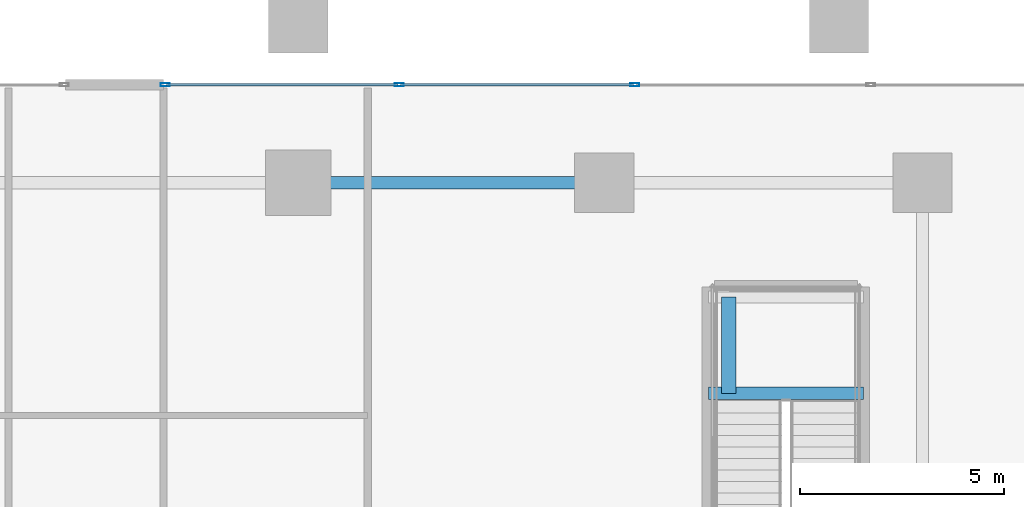
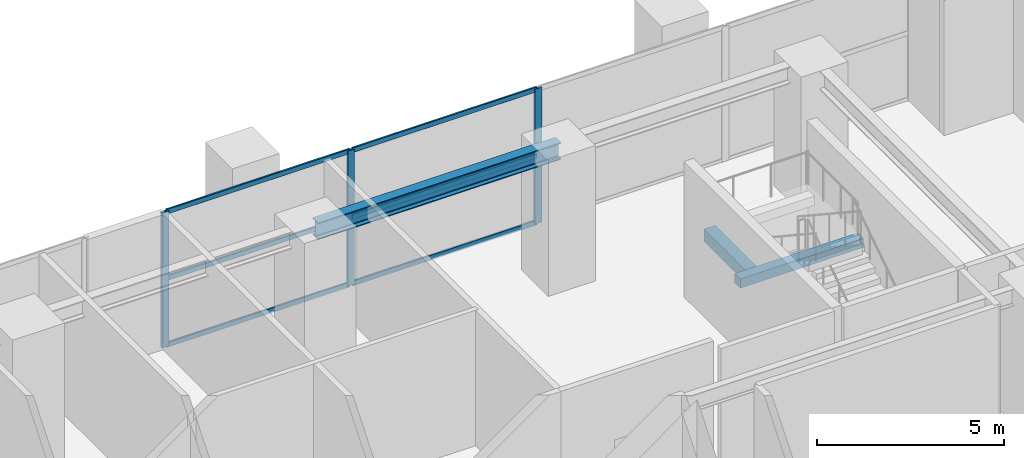
# One storey, part 10 of 20: 9 members, 3 beams, 1 element without a shape of its own.
"""IFC4 building model written with IfcOpenShell, lengths in metres."""

from ifc_helpers import new_model, si_unit, direction, frame, origin, origin_2d, place, context, subcontext, project, spatial, rectangle, hollow_rectangle, i_section, extrude, source, transform, mapped, material, layer, layer_set, material_profile, profile_set, type_object, element, aggregate, save


model = new_model("IFC4")

# Units and contexts
model_context = context("Model", 3, precision=1e-05, world=origin(), true_north=direction((0.0, 1.0)))
body_context = subcontext(model_context, "Body", "Model", "MODEL_VIEW")
ifc_project = project(units=[si_unit("LENGTHUNIT", "METRE"), si_unit("AREAUNIT", "SQUARE_METRE"), si_unit("VOLUMEUNIT", "CUBIC_METRE"), si_unit("PLANEANGLEUNIT", "RADIAN"), si_unit("MASSUNIT", "GRAM", prefix="KILO")], contexts=[model_context])

# Site, building, storey
site_placement = place(None, origin())
site = spatial("IfcSite", under=ifc_project, at=site_placement, CompositionType="ELEMENT")
building_placement = place(site_placement, origin())
building = spatial("IfcBuilding", under=site, at=building_placement, Name="Serunith Strait Residences", CompositionType="ELEMENT")
storey_placement = place(building_placement, frame((0.0, 0.0, 10.5)))
storey = spatial("IfcBuildingStorey", under=building, at=storey_placement, Name="L02", CompositionType="ELEMENT", Elevation=10.5)

# Beams
ifc_material_1 = material(Name="Steel S355J2", Category="steel")
ifc_material_profile_1 = material_profile(ifc_material_1, i_section(OverallWidth=0.300048828125, OverallDepth=0.550048828125, WebThickness=0.014892578125, FlangeThickness=0.029052734375, FilletRadius=0.027099609375, at=origin_2d()), Name="HEB 550")
ifc_profile_set_1 = profile_set([ifc_material_profile_1], Name="Steel S355J2")
beam_type_1 = type_object("IfcBeamType", Name="BM-HEB550", PredefinedType="BEAM", material=ifc_profile_set_1)
shared_shape_1 = source(origin(), body_context, "Body", "SweptSolid", [
    extrude(i_section(OverallWidth=0.300048828125, OverallDepth=0.550048828125, WebThickness=0.014892578125, FlangeThickness=0.029052734375, FilletRadius=0.027099609375, at=origin_2d()), origin(), (0.0, 0.0, 1.0), 7.5),
])
beam_1_placement = place(storey_placement, frame((36.89990234375, 45.60009765625, 4.14208984375), z_axis=(1.0, 0.0, 0.0), x_axis=(0.0, 1.0, 0.0)))
element("IfcBeam", 1, at=beam_1_placement, inside=storey, type_object=beam_type_1, Name="BM-L02-09", PredefinedType="BEAM", context=body_context, shape_type="MappedRepresentation", body=[
    mapped(shared_shape_1, transform((0.0, 0.0, 0.0), scale=1.0)),
])
ifc_material_2 = material(Name="Concrete C60/75", Category="concrete")
ifc_material_profile_2 = material_profile(ifc_material_2, rectangle(XDim=0.300048828125, YDim=0.300048828125, at=origin_2d()), Name="RC 300x300")
ifc_profile_set_2 = profile_set([ifc_material_profile_2], Name="Concrete C60/75")
beam_type_2 = type_object("IfcBeamType", Name="BM-LAND-300x300", PredefinedType="BEAM", material=ifc_profile_set_2)
shared_shape_2 = source(origin(), body_context, "Body", "SweptSolid", [
    extrude(rectangle(XDim=0.300048828125, YDim=0.300048828125, at=origin_2d()), origin(), (0.0, 0.0, 1.0), 3.800048828125),
])
beam_2_placement = place(storey_placement, frame((46.949951171875, 40.43994140625, 2.050048828125), z_axis=(1.0, 0.0, 0.0), x_axis=(0.0, 1.0, 0.0)))
element("IfcBeam", 2, at=beam_2_placement, inside=storey, type_object=beam_type_2, Name="L02 ST-4 Landing Support Beam 1", PredefinedType="BEAM", context=body_context, shape_type="MappedRepresentation", body=[
    mapped(shared_shape_2, transform((0.0, 0.0, 0.0), scale=1.0)),
])
ifc_material_profile_3 = material_profile(ifc_material_2, rectangle(XDim=0.35009765625, YDim=0.39990234375, at=origin_2d()), Name="RC 350x400")
ifc_profile_set_3 = profile_set([ifc_material_profile_3], Name="Concrete C60/75")
beam_type_3 = type_object("IfcBeamType", Name="BM-LAND-350x400", PredefinedType="BEAM", material=ifc_profile_set_3)
shared_shape_3 = source(origin(), body_context, "Body", "SweptSolid", [
    extrude(rectangle(XDim=0.35009765625, YDim=0.39990234375, at=origin_2d()), origin(), (0.0, 0.0, 1.0), 2.360107421875),
])
beam_3_placement = place(storey_placement, frame((47.449951171875, 40.43994140625, 2.0), z_axis=(0.0, 1.0, 0.0), x_axis=(-1.0, 0.0, 0.0)))
element("IfcBeam", 3, at=beam_3_placement, inside=storey, type_object=beam_type_3, Name="L02 ST-4 Landing Transverse Trimmer", PredefinedType="BEAM", context=body_context, shape_type="MappedRepresentation", body=[
    mapped(shared_shape_3, transform((0.0, 0.0, 0.0), scale=1.0)),
])

# Curtain wall, members
ifc_material_3 = material(Name="Pale-Champagne Anodised Aluminium", Category="aluminium")
ifc_layer = layer(ifc_material_3, 0.199951171875, Name="Pale-Champagne Anodised Aluminium")
ifc_layer_set = layer_set([ifc_layer], Name="Pale-Champagne Anodised Aluminium")
curtain_wall_type = type_object("IfcCurtainWallType", Name="CW-SYS6", PredefinedType="NOTDEFINED", material=ifc_layer_set)
curtain_wall_placement = place(storey_placement, origin())
curtain_wall = element("IfcCurtainWall", 4, at=curtain_wall_placement, inside=storey, type_object=curtain_wall_type, Name="L02 Podium Galleria Curtain Wall 9A", PredefinedType="NOTDEFINED")
ifc_material_profile_4 = material_profile(ifc_material_3, hollow_rectangle(XDim=0.06005859375, YDim=0.159912109375, WallThickness=0.00341796875, InnerFilletRadius=0.00537109375, OuterFilletRadius=0.0087890625, at=origin_2d()), Name="ALU 160x60x3.5")
ifc_profile_set_4 = profile_set([ifc_material_profile_4], Name="Pale-Champagne Anodised Aluminium")
member_type_1 = type_object("IfcMemberType", Name="CW-SYS6-TRAN", PredefinedType="USERDEFINED", material=ifc_profile_set_4)
shared_shape_4 = source(origin(), body_context, "Body", "SweptSolid", [
    extrude(hollow_rectangle(XDim=0.06005859375, YDim=0.159912109375, WallThickness=0.00341796875, InnerFilletRadius=0.00537109375, OuterFilletRadius=0.0087890625, at=origin_2d()), origin(), (0.0, 0.0, 1.0), 5.699951171875),
])
member_1_placement = place(storey_placement, frame((45.112548828125, 48.0, 0.030029296875), z_axis=(-1.0, 0.0, 0.0), x_axis=(0.0, -1.0, 0.0)))
member_1 = element("IfcMember", 5, at=member_1_placement, type_object=member_type_1, Name="CW-6 transom 3.1", ObjectType="TRANSOM", PredefinedType="USERDEFINED", context=body_context, shape_type="MappedRepresentation", body=[
    mapped(shared_shape_4, transform((0.0, 0.0, 0.0), scale=1.0)),
])
member_2_placement = place(storey_placement, frame((45.112548828125, 48.0, 2.202392578125), z_axis=(-1.0, 0.0, 0.0), x_axis=(0.0, -1.0, 0.0)))
member_2 = element("IfcMember", 6, at=member_2_placement, type_object=member_type_1, Name="CW-6 transom 3.2", ObjectType="TRANSOM", PredefinedType="USERDEFINED", context=body_context, shape_type="MappedRepresentation", body=[
    mapped(shared_shape_4, transform((0.0, 0.0, 0.0), scale=1.0)),
])
member_3_placement = place(storey_placement, frame((45.112548828125, 48.0, 4.375), z_axis=(-1.0, 0.0, 0.0), x_axis=(0.0, -1.0, 0.0)))
member_3 = element("IfcMember", 7, at=member_3_placement, type_object=member_type_1, Name="CW-6 transom 3.3", ObjectType="TRANSOM", PredefinedType="USERDEFINED", context=body_context, shape_type="MappedRepresentation", body=[
    mapped(shared_shape_4, transform((0.0, 0.0, 0.0), scale=1.0)),
])
shared_shape_5 = source(origin(), body_context, "Body", "SweptSolid", [
    extrude(hollow_rectangle(XDim=0.06005859375, YDim=0.159912109375, WallThickness=0.00341796875, InnerFilletRadius=0.00537109375, OuterFilletRadius=0.0087890625, at=origin_2d()), origin(), (0.0, 0.0, 1.0), 5.662353515625),
])
member_4_placement = place(storey_placement, frame((39.33740234375, 48.0, 0.030029296875), z_axis=(-1.0, 0.0, 0.0), x_axis=(0.0, -1.0, 0.0)))
member_4 = element("IfcMember", 8, at=member_4_placement, type_object=member_type_1, Name="CW-6 transom 4.1", ObjectType="TRANSOM", PredefinedType="USERDEFINED", context=body_context, shape_type="MappedRepresentation", body=[
    mapped(shared_shape_5, transform((0.0, 0.0, 0.0), scale=1.0)),
])
member_5_placement = place(storey_placement, frame((39.33740234375, 48.0, 2.202392578125), z_axis=(-1.0, 0.0, 0.0), x_axis=(0.0, -1.0, 0.0)))
member_5 = element("IfcMember", 9, at=member_5_placement, type_object=member_type_1, Name="CW-6 transom 4.2", ObjectType="TRANSOM", PredefinedType="USERDEFINED", context=body_context, shape_type="MappedRepresentation", body=[
    mapped(shared_shape_5, transform((0.0, 0.0, 0.0), scale=1.0)),
])
member_6_placement = place(storey_placement, frame((39.33740234375, 48.0, 4.375), z_axis=(-1.0, 0.0, 0.0), x_axis=(0.0, -1.0, 0.0)))
member_6 = element("IfcMember", 10, at=member_6_placement, type_object=member_type_1, Name="CW-6 transom 4.3", ObjectType="TRANSOM", PredefinedType="USERDEFINED", context=body_context, shape_type="MappedRepresentation", body=[
    mapped(shared_shape_5, transform((0.0, 0.0, 0.0), scale=1.0)),
])
ifc_material_profile_5 = material_profile(ifc_material_3, hollow_rectangle(XDim=0.074951171875, YDim=0.219970703125, WallThickness=0.00390625, InnerFilletRadius=0.006103515625, OuterFilletRadius=0.010009765625, at=origin_2d()), Name="ALU 220x75x4")
ifc_profile_set_5 = profile_set([ifc_material_profile_5], Name="Pale-Champagne Anodised Aluminium")
member_type_2 = type_object("IfcMemberType", Name="CW-SYS6-MULL", PredefinedType="MULLION", material=ifc_profile_set_5)
shared_shape_6 = source(origin(), body_context, "Body", "SweptSolid", [
    extrude(hollow_rectangle(XDim=0.074951171875, YDim=0.219970703125, WallThickness=0.00390625, InnerFilletRadius=0.006103515625, OuterFilletRadius=0.010009765625, at=origin_2d()), origin(), (0.0, 0.0, 1.0), 4.405029296875),
])
member_7_placement = place(storey_placement, frame((45.14990234375, 48.0, 0.0), z_axis=(0.0, 0.0, 1.0), x_axis=(0.0, -1.0, 0.0)))
member_7 = element("IfcMember", 11, at=member_7_placement, type_object=member_type_2, Name="CW-6 mullion 3", PredefinedType="MULLION", context=body_context, shape_type="MappedRepresentation", body=[
    mapped(shared_shape_6, transform((0.0, 0.0, 0.0), scale=1.0)),
])
member_8_placement = place(storey_placement, frame((39.375, 48.0, 0.0), z_axis=(0.0, 0.0, 1.0), x_axis=(0.0, -1.0, 0.0)))
member_8 = element("IfcMember", 12, at=member_8_placement, type_object=member_type_2, Name="CW-6 mullion 4", PredefinedType="MULLION", context=body_context, shape_type="MappedRepresentation", body=[
    mapped(shared_shape_6, transform((0.0, 0.0, 0.0), scale=1.0)),
])
member_9_placement = place(storey_placement, frame((33.637451171875, 48.0, 0.0), z_axis=(0.0, 0.0, 1.0), x_axis=(0.0, -1.0, 0.0)))
member_9 = element("IfcMember", 13, at=member_9_placement, type_object=member_type_2, Name="CW-6 mullion 5", PredefinedType="MULLION", context=body_context, shape_type="MappedRepresentation", body=[
    mapped(shared_shape_6, transform((0.0, 0.0, 0.0), scale=1.0)),
])
aggregate(curtain_wall, [member_7, member_8, member_9, member_1, member_2, member_3, member_4, member_5, member_6])

save(model, "model.ifc")
